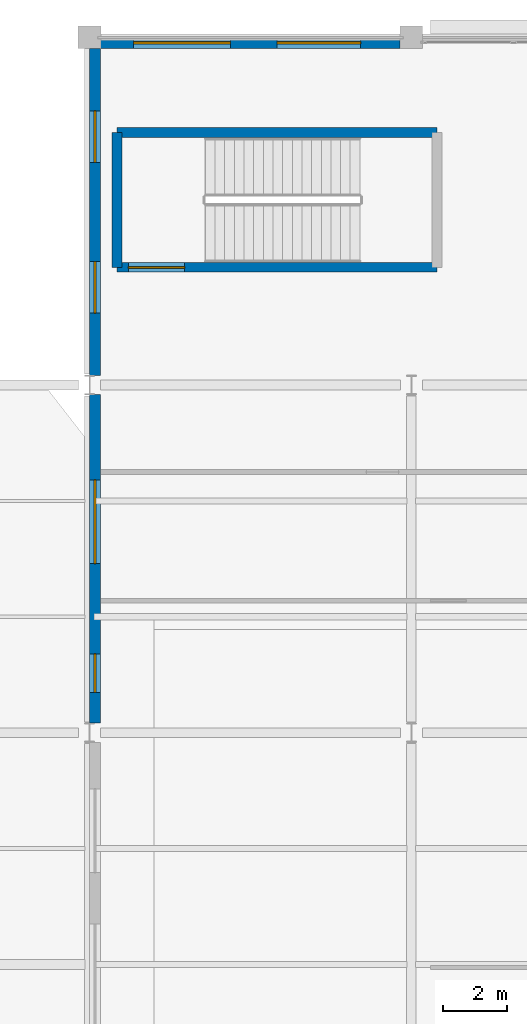
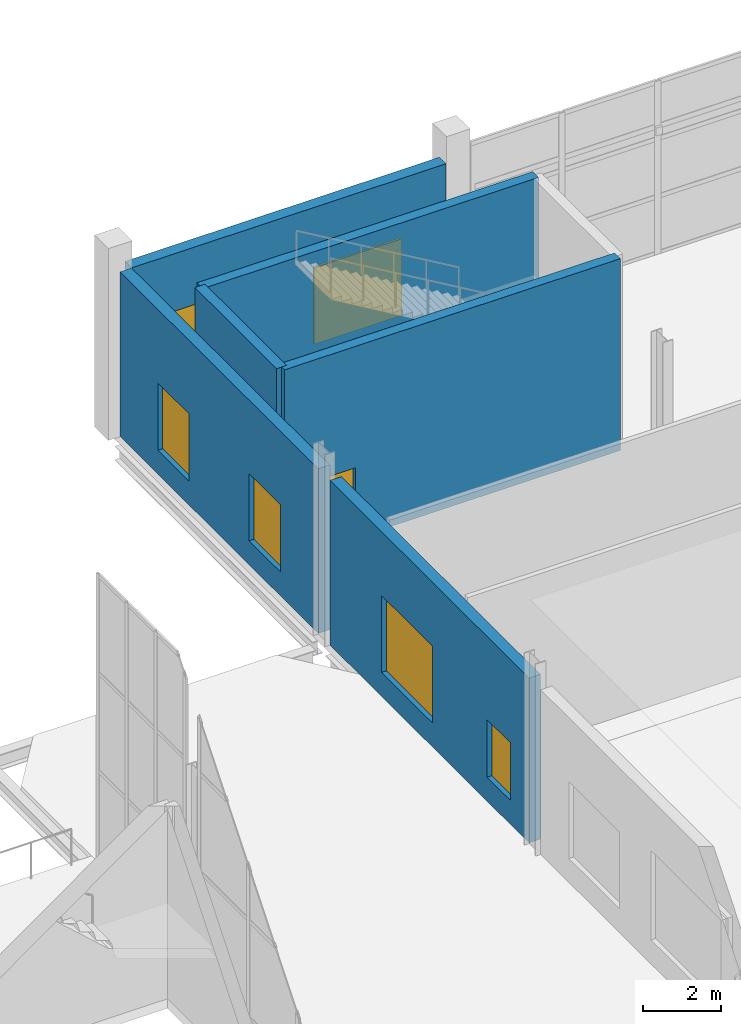
# One storey, part 171 of 191: 6 walls, 6 windows, 1 door, 7 openings.
"""IFC4 building model written with IfcOpenShell, lengths in metres."""

import ifcopenshell
import ifcopenshell.guid

model = None  # the IFC model being written
_history = None  # IfcOwnerHistory: only IFC2X3 demands one
_inside = {}  # id of a spatial element -> (the spatial element, [elements in it])
_under = {}  # id of a project, library or spatial element -> (it, [spatial elements below it])
_declared = {}  # id of a project -> (the project, [libraries it declares])
_typed = {}  # id of a type object -> (the type object, [elements of that type])
_made_of = {}  # id of a material, layer set ... -> (it, [elements and type objects made of it])


def new_model(schema):
    """Start an empty IFC model of exactly this schema.

    Asked for "IFC4X3", IfcOpenShell would pick the latest addendum, in which some entities
    have other attributes; the version numbers below select the first issue.
    IFC2X3 requires an IfcOwnerHistory on every rooted entity: one is made here for all.
    """
    global model, _history
    if schema == "IFC4X3":
        model = ifcopenshell.file(schema_version=(4, 3, 0, 0))
    else:
        model = ifcopenshell.file(schema=schema)
    _inside.clear()
    _under.clear()
    _declared.clear()
    _typed.clear()
    _made_of.clear()
    _history = None
    if model.schema == "IFC2X3":
        org = make("IfcOrganization", Name="unknown")
        user = make(
            "IfcPersonAndOrganization",
            ThePerson=make("IfcPerson", FamilyName="unknown"),
            TheOrganization=org,
        )
        app = make(
            "IfcApplication",
            ApplicationDeveloper=org,
            Version="unknown",
            ApplicationFullName="unknown",
            ApplicationIdentifier="unknown",
        )
        _history = make(
            "IfcOwnerHistory",
            OwningUser=user,
            OwningApplication=app,
            ChangeAction="ADDED",
            CreationDate=0,
        )
    return model


def make(cls, **values):
    """One entity of the class cls with the attributes given. An attribute that is None is left unset."""
    return model.create_entity(
        cls, **{name: value for name, value in values.items() if value is not None}
    )


def rooted(cls, **values):
    """An entity with a GlobalId (a new one), such as an element, a storey or a relation."""
    return make(cls, GlobalId=ifcopenshell.guid.new(), OwnerHistory=_history, **values)


def si_unit(unit_type, name, prefix=None):
    """IfcSIUnit, for example si_unit("LENGTHUNIT", "METRE", prefix="MILLI")."""
    return make("IfcSIUnit", UnitType=unit_type, Prefix=prefix, Name=name)


def assignment(units):
    """IfcUnitAssignment: the units of a project."""
    return None if units is None else make("IfcUnitAssignment", Units=units)


def point(xyz):
    """IfcCartesianPoint."""
    return None if xyz is None else make("IfcCartesianPoint", Coordinates=xyz)


def direction(xyz):
    """IfcDirection."""
    return None if xyz is None else make("IfcDirection", DirectionRatios=xyz)


def frame(location, z_axis=None, x_axis=None):
    """IfcAxis2Placement3D, a coordinate frame: its origin and axes. An axis left out is left unset."""
    return make(
        "IfcAxis2Placement3D",
        Location=point(location),
        Axis=direction(z_axis),
        RefDirection=direction(x_axis),
    )


def frame_2d(location, x_axis=None):
    """IfcAxis2Placement2D, a coordinate frame in the plane: its origin and x axis."""
    return make(
        "IfcAxis2Placement2D", Location=point(location), RefDirection=direction(x_axis)
    )


def origin():
    """The frame at (0, 0, 0) with its axes left unset."""
    return frame((0.0, 0.0, 0.0))


def place(relative_to, where):
    """IfcLocalPlacement: puts the frame where relative to a parent placement (None: the world)."""
    return make(
        "IfcLocalPlacement", PlacementRelTo=relative_to, RelativePlacement=where
    )


def context(
    kind, dimensions, precision=None, world=None, true_north=None, identifier=None
):
    """IfcGeometricRepresentationContext, for example the 3D "Model" context."""
    return make(
        "IfcGeometricRepresentationContext",
        ContextIdentifier=identifier,
        ContextType=kind,
        CoordinateSpaceDimension=dimensions,
        Precision=precision,
        WorldCoordinateSystem=world,
        TrueNorth=true_north,
    )


def subcontext(parent, identifier, kind, view, scale=None):
    """IfcGeometricRepresentationSubContext, for example "Body" below "Model"."""
    return make(
        "IfcGeometricRepresentationSubContext",
        ContextIdentifier=identifier,
        ContextType=kind,
        ParentContext=parent,
        TargetScale=scale,
        TargetView=view,
    )


def project(units=None, contexts=None):
    """IfcProject with its units and contexts."""
    return rooted(
        "IfcProject",
        Name="project",
        RepresentationContexts=contexts,
        UnitsInContext=assignment(units),
    )


def spatial(cls, under=None, at=None, **own):
    """A site, building, storey or space (cls), placed at a placement, below another one or the project."""
    s = rooted(cls, ObjectPlacement=at, **own)
    if under is not None:
        _under.setdefault(under.id(), (under, []))[1].append(s)
    return s


def profile(cls, at=None, kind="AREA", **sizes):
    """A parametric profile (cls). Its sizes go by their IFC names, for example OverallWidth=200.0."""
    return make(cls, ProfileType=kind, Position=at, **sizes)


def rectangle(**sizes):
    """IfcRectangleProfileDef."""
    return profile("IfcRectangleProfileDef", **sizes)


def extrude(swept, where, along, depth):
    """IfcExtrudedAreaSolid: the profile swept, set in the frame where, extruded along a direction by depth."""
    return make(
        "IfcExtrudedAreaSolid",
        SweptArea=swept,
        Position=where,
        ExtrudedDirection=direction(along),
        Depth=depth,
    )


def shape(context_of_items, identifier, shape_type, items):
    """IfcShapeRepresentation: the items that make up one representation, for example the "Body"."""
    return make(
        "IfcShapeRepresentation",
        ContextOfItems=context_of_items,
        RepresentationIdentifier=identifier,
        RepresentationType=shape_type,
        Items=items,
    )


def material(Name=None, Category=None):
    """IfcMaterial."""
    return make("IfcMaterial", Name=Name, Category=Category)


def layer(
    of_material, thickness, ventilated=None, Name=None, Category=None, Priority=None
):
    """IfcMaterialLayer: one layer of a wall or slab, of a material (None: an air gap)."""
    return make(
        "IfcMaterialLayer",
        Material=of_material,
        LayerThickness=thickness,
        IsVentilated=ventilated,
        Name=Name,
        Category=Category,
        Priority=Priority,
    )


def layer_set(layers, Name=None):
    """IfcMaterialLayerSet."""
    return make("IfcMaterialLayerSet", MaterialLayers=layers, LayerSetName=Name)


def made_of(thing, what):
    """Note that an element or type object is made of a material, layer set ...; save() writes the relation."""
    if what is not None:
        _made_of.setdefault(what.id(), (what, []))[1].append(thing)
    return thing


def type_object(cls, material=None, **own):
    """A type object (cls), such as IfcWallType, which elements share."""
    return made_of(rooted(cls, **own), material)


def element(
    cls,
    number,
    at=None,
    inside=None,
    cuts=None,
    type_object=None,
    material=None,
    context=None,
    identifier="Body",
    shape_type=None,
    held_by="IfcProductDefinitionShape",
    body=None,
    shapes=None,
    **own,
):
    """One element of the class cls, such as IfcWall. Its Tag is "e" and its number.

    at: its placement. inside: the storey or other place that contains it. cuts: it is an
    opening in that element (IfcRelVoidsElement). A single representation is given by context,
    identifier, shape_type and body (its items); several are given by shapes. held_by: the class
    of the entity that holds the representations. save() writes the other relations.
    """
    e = rooted(cls, Tag="e%d" % number, ObjectPlacement=at, **own)
    if body is not None:
        shapes = [shape(context, identifier, shape_type, body)]
    if shapes is not None:
        e.Representation = make(held_by, Representations=shapes)
    if inside is not None:
        _inside.setdefault(inside.id(), (inside, []))[1].append(e)
    if cuts is not None:
        rooted(
            "IfcRelVoidsElement", RelatingBuildingElement=cuts, RelatedOpeningElement=e
        )
    if type_object is not None:
        _typed.setdefault(type_object.id(), (type_object, []))[1].append(e)
    return made_of(e, material)


def fill(opening, filler):
    """IfcRelFillsElement: the door or window that sits in an opening."""
    return rooted(
        "IfcRelFillsElement",
        RelatingOpeningElement=opening,
        RelatedBuildingElement=filler,
    )


def aggregate(whole, parts):
    """IfcRelAggregates: a whole, such as a stair, and the parts it consists of."""
    return rooted("IfcRelAggregates", RelatingObject=whole, RelatedObjects=parts)


def save(model, path):
    """Write the relations noted so far, then the file.

    IfcRelAggregates (storeys below a building ...), IfcRelContainedInSpatialStructure (elements
    in a storey), IfcRelDefinesByType, IfcRelAssociatesMaterial and IfcRelDeclares: one each for
    every whole, place, type object, material and project.
    """
    for whole, parts in _under.values():
        aggregate(whole, parts)
    for where, things in _inside.values():
        rooted(
            "IfcRelContainedInSpatialStructure",
            RelatedElements=things,
            RelatingStructure=where,
        )
    for kind, things in _typed.values():
        rooted("IfcRelDefinesByType", RelatedObjects=things, RelatingType=kind)
    for what, things in _made_of.values():
        rooted("IfcRelAssociatesMaterial", RelatedObjects=things, RelatingMaterial=what)
    for by, libraries in _declared.values():
        rooted("IfcRelDeclares", RelatingContext=by, RelatedDefinitions=libraries)
    model.write(path)


model = new_model("IFC4")

# Units and contexts
model_context = context("Model", 3, precision=1e-05, world=origin(), true_north=direction((0.0, 1.0)))
body_context = subcontext(model_context, "Body", "Model", "MODEL_VIEW")
ifc_project = project(units=[si_unit("LENGTHUNIT", "METRE"), si_unit("AREAUNIT", "SQUARE_METRE"), si_unit("VOLUMEUNIT", "CUBIC_METRE"), si_unit("PLANEANGLEUNIT", "RADIAN"), si_unit("MASSUNIT", "GRAM", prefix="KILO")], contexts=[model_context])

# Site, building, storey
site_placement = place(None, origin())
site = spatial("IfcSite", under=ifc_project, at=site_placement, CompositionType="ELEMENT")
building_placement = place(site_placement, origin())
building = spatial("IfcBuilding", under=site, at=building_placement, Name="Tamarisk Ironworks Central Station", CompositionType="ELEMENT")
storey_placement = place(building_placement, frame((0.0, 0.0, 6.60009765625)))
storey = spatial("IfcBuildingStorey", under=building, at=storey_placement, Name="L01", CompositionType="ELEMENT", Elevation=6.60009765625)

# Wall, openings, windows
ifc_material_1 = material(Name="Clay facing brickwork and mortar", Category="masonry")
ifc_layer_1 = layer(ifc_material_1, 0.340087890625)
ifc_layer_set_1 = layer_set([ifc_layer_1], Name="Clay facing brickwork and mortar")
wall_type_1 = type_object("IfcWallType", Name="WL-BR340", PredefinedType="STANDARD", material=ifc_layer_set_1)
wall_1_placement = place(storey_placement, frame((118.347900390625, 122.22998046875, 0.0), z_axis=(0.0, 0.0, 1.0), x_axis=(1.0, 0.0, 0.0)))
wall_1 = element("IfcWall", 1, at=wall_1_placement, inside=storey, type_object=wall_type_1, Name="L01 brick facade wall 0054", PredefinedType="STANDARD", context=body_context, shape_type="SweptSolid", body=[
    extrude(rectangle(XDim=9.30419921875, YDim=0.340087890625, at=frame_2d((4.652099609375, 0.0))), origin(), (0.0, 0.0, 1.0), 5.14990234375),
])
opening_1_placement = place(wall_1_placement, frame((1.02587890625, 0.0, 0.75)))
opening_1 = element("IfcOpeningElement", 2, at=opening_1_placement, cuts=wall_1, Name="Opening W03", PredefinedType="OPENING", context=body_context, shape_type="SweptSolid", body=[
    extrude(rectangle(XDim=3.0, YDim=2.60009765625, at=frame_2d((1.5, 1.300048828125))), frame((0.0, 0.18212890625, 0.0), z_axis=(0.0, -1.0, 0.0), x_axis=(1.0, 0.0, 0.0)), (0.0, 0.0, 1.0), 0.364013671875),
])
opening_2_placement = place(wall_1_placement, frame((5.47802734375, 0.0, 0.75)))
opening_2 = element("IfcOpeningElement", 3, at=opening_2_placement, cuts=wall_1, Name="Opening W05", PredefinedType="OPENING", context=body_context, shape_type="SweptSolid", body=[
    extrude(rectangle(XDim=2.60009765625, YDim=2.39990234375, at=frame_2d((1.300048828125, 1.199951171875))), frame((0.0, 0.18212890625, 0.0), z_axis=(0.0, -1.0, 0.0), x_axis=(1.0, 0.0, 0.0)), (0.0, 0.0, 1.0), 0.364013671875),
])
ifc_material_2 = material(Name="Laminated solar-control low-E glass", Category="glass")
window_type_1 = type_object("IfcWindowType", Name="WN-03", PartitioningType="SINGLE_PANEL", PredefinedType="WINDOW", material=ifc_material_2)
window_1_placement = place(opening_1_placement, origin())
window_1 = element("IfcWindow", 4, at=window_1_placement, inside=storey, type_object=window_type_1, Name="L01 exterior window 0076", OverallHeight=2.60009765625, OverallWidth=3.0, PartitioningType="DOUBLE_PANEL_VERTICAL", PredefinedType="WINDOW", context=body_context, shape_type="SweptSolid", body=[
    extrude(rectangle(XDim=3.0, YDim=2.60009765625, at=frame_2d((1.5, 1.300048828125))), frame((0.0, 0.030029296875, 0.0), z_axis=(0.0, -1.0, 0.0), x_axis=(1.0, 0.0, 0.0)), (0.0, 0.0, 1.0), 0.06005859375),
])
fill(opening_1, window_1)
window_type_2 = type_object("IfcWindowType", Name="WN-05", PartitioningType="SINGLE_PANEL", PredefinedType="WINDOW", material=ifc_material_2)
window_2_placement = place(opening_2_placement, origin())
window_2 = element("IfcWindow", 5, at=window_2_placement, inside=storey, type_object=window_type_2, Name="L01 exterior window 0077", OverallHeight=2.39990234375, OverallWidth=2.60009765625, PartitioningType="DOUBLE_PANEL_VERTICAL", PredefinedType="WINDOW", context=body_context, shape_type="SweptSolid", body=[
    extrude(rectangle(XDim=2.60009765625, YDim=2.39990234375, at=frame_2d((1.300048828125, 1.199951171875))), frame((0.0, 0.030029296875, 0.0), z_axis=(0.0, -1.0, 0.0), x_axis=(1.0, 0.0, 0.0)), (0.0, 0.0, 1.0), 0.06005859375),
])
fill(opening_2, window_2)

wall_2_placement = place(storey_placement, frame((118.169921875, 101.097900390625, 0.0), z_axis=(0.0, 0.0, 1.0), x_axis=(0.0, 1.0, 0.0)))
wall_2 = element("IfcWall", 6, at=wall_2_placement, inside=storey, type_object=wall_type_1, Name="L01 brick facade wall 0062", PredefinedType="STANDARD", context=body_context, shape_type="SweptSolid", body=[
    extrude(rectangle(XDim=10.2041015625, YDim=0.340087890625, at=frame_2d((5.10205078125, 0.0))), origin(), (0.0, 0.0, 1.0), 5.14990234375),
])
opening_3_placement = place(wall_2_placement, frame((0.950927734375, 0.0, 0.75)))
opening_3 = element("IfcOpeningElement", 7, at=opening_3_placement, cuts=wall_2, Name="Opening W13", PredefinedType="OPENING", context=body_context, shape_type="SweptSolid", body=[
    extrude(rectangle(XDim=1.199951171875, YDim=1.800048828125, at=frame_2d((0.60009765625, 0.89990234375))), frame((0.0, 0.18212890625, 0.0), z_axis=(0.0, -1.0, 0.0), x_axis=(1.0, 0.0, 0.0)), (0.0, 0.0, 1.0), 0.364013671875),
])
opening_4_placement = place(wall_2_placement, frame((4.952880859375, 0.0, 0.75)))
opening_4 = element("IfcOpeningElement", 8, at=opening_4_placement, cuts=wall_2, Name="Opening W05", PredefinedType="OPENING", context=body_context, shape_type="SweptSolid", body=[
    extrude(rectangle(XDim=2.60009765625, YDim=2.39990234375, at=frame_2d((1.300048828125, 1.199951171875))), frame((0.0, 0.18212890625, 0.0), z_axis=(0.0, -1.0, 0.0), x_axis=(1.0, 0.0, 0.0)), (0.0, 0.0, 1.0), 0.364013671875),
])
window_3_placement = place(opening_4_placement, origin())
window_3 = element("IfcWindow", 9, at=window_3_placement, inside=storey, type_object=window_type_2, Name="L01 exterior window 0098", OverallHeight=2.39990234375, OverallWidth=2.60009765625, PartitioningType="DOUBLE_PANEL_VERTICAL", PredefinedType="WINDOW", context=body_context, shape_type="SweptSolid", body=[
    extrude(rectangle(XDim=2.60009765625, YDim=2.39990234375, at=frame_2d((1.300048828125, 1.199951171875))), frame((0.0, 0.030029296875, 0.0), z_axis=(0.0, -1.0, 0.0), x_axis=(1.0, 0.0, 0.0)), (0.0, 0.0, 1.0), 0.06005859375),
])
fill(opening_4, window_3)
window_type_3 = type_object("IfcWindowType", Name="WN-13", PartitioningType="SINGLE_PANEL", PredefinedType="WINDOW", material=ifc_material_2)
window_4_placement = place(opening_3_placement, origin())
window_4 = element("IfcWindow", 10, at=window_4_placement, inside=storey, type_object=window_type_3, Name="L01 exterior window 0097", OverallHeight=1.800048828125, OverallWidth=1.199951171875, PartitioningType="DOUBLE_PANEL_VERTICAL", PredefinedType="WINDOW", context=body_context, shape_type="SweptSolid", body=[
    extrude(rectangle(XDim=1.199951171875, YDim=1.800048828125, at=frame_2d((0.60009765625, 0.89990234375))), frame((0.0, 0.030029296875, 0.0), z_axis=(0.0, -1.0, 0.0), x_axis=(1.0, 0.0, 0.0)), (0.0, 0.0, 1.0), 0.06005859375),
])
fill(opening_3, window_4)

wall_3_placement = place(storey_placement, frame((118.169921875, 111.89794921875, 0.0), z_axis=(0.0, 0.0, 1.0), x_axis=(0.0, 1.0, 0.0)))
wall_3 = element("IfcWall", 11, at=wall_3_placement, inside=storey, type_object=wall_type_1, Name="L01 brick facade wall 0063", PredefinedType="STANDARD", context=body_context, shape_type="SweptSolid", body=[
    extrude(rectangle(XDim=10.154052734375, YDim=0.340087890625, at=frame_2d((5.0771484375, 0.0))), origin(), (0.0, 0.0, 1.0), 5.14990234375),
])
opening_5_placement = place(wall_3_placement, frame((1.93896484375, 0.0, 0.75)))
opening_5 = element("IfcOpeningElement", 12, at=opening_5_placement, cuts=wall_3, Name="Opening W10", PredefinedType="OPENING", context=body_context, shape_type="SweptSolid", body=[
    extrude(rectangle(XDim=1.60009765625, YDim=2.10009765625, at=frame_2d((0.800048828125, 1.050048828125))), frame((0.0, 0.18212890625, 0.0), z_axis=(0.0, -1.0, 0.0), x_axis=(1.0, 0.0, 0.0)), (0.0, 0.0, 1.0), 0.364013671875),
])
opening_6_placement = place(wall_3_placement, frame((6.615966796875, 0.0, 0.75)))
opening_6 = element("IfcOpeningElement", 13, at=opening_6_placement, cuts=wall_3, Name="Opening W10", PredefinedType="OPENING", context=body_context, shape_type="SweptSolid", body=[
    extrude(rectangle(XDim=1.60009765625, YDim=2.10009765625, at=frame_2d((0.800048828125, 1.050048828125))), frame((0.0, 0.18212890625, 0.0), z_axis=(0.0, -1.0, 0.0), x_axis=(1.0, 0.0, 0.0)), (0.0, 0.0, 1.0), 0.364013671875),
])
window_type_4 = type_object("IfcWindowType", Name="WN-10", PartitioningType="SINGLE_PANEL", PredefinedType="WINDOW", material=ifc_material_2)
window_5_placement = place(opening_5_placement, origin())
window_5 = element("IfcWindow", 14, at=window_5_placement, inside=storey, type_object=window_type_4, Name="L01 exterior window 0099", OverallHeight=2.10009765625, OverallWidth=1.60009765625, PartitioningType="DOUBLE_PANEL_VERTICAL", PredefinedType="WINDOW", context=body_context, shape_type="SweptSolid", body=[
    extrude(rectangle(XDim=1.60009765625, YDim=2.10009765625, at=frame_2d((0.800048828125, 1.050048828125))), frame((0.0, 0.030029296875, 0.0), z_axis=(0.0, -1.0, 0.0), x_axis=(1.0, 0.0, 0.0)), (0.0, 0.0, 1.0), 0.06005859375),
])
fill(opening_5, window_5)
window_6_placement = place(opening_6_placement, origin())
window_6 = element("IfcWindow", 15, at=window_6_placement, inside=storey, type_object=window_type_4, Name="L01 exterior window 0100", OverallHeight=2.10009765625, OverallWidth=1.60009765625, PartitioningType="DOUBLE_PANEL_VERTICAL", PredefinedType="WINDOW", context=body_context, shape_type="SweptSolid", body=[
    extrude(rectangle(XDim=1.60009765625, YDim=2.10009765625, at=frame_2d((0.800048828125, 1.050048828125))), frame((0.0, 0.030029296875, 0.0), z_axis=(0.0, -1.0, 0.0), x_axis=(1.0, 0.0, 0.0)), (0.0, 0.0, 1.0), 0.06005859375),
])
fill(opening_6, window_6)

# Wall, opening, door
ifc_material_3 = material(Name="Concrete C50/60", Category="concrete")
ifc_layer_2 = layer(ifc_material_3, 0.300048828125)
ifc_layer_set_2 = layer_set([ifc_layer_2], Name="Concrete C50/60")
wall_type_2 = type_object("IfcWallType", Name="WL-CW300", PredefinedType="SOLIDWALL", material=ifc_layer_set_2)
wall_4_placement = place(storey_placement, frame((118.85498046875, 115.2548828125, 0.0), z_axis=(0.0, 0.0, 1.0), x_axis=(1.0, 0.0, 0.0)))
wall_4 = element("IfcWall", 16, at=wall_4_placement, inside=storey, type_object=wall_type_2, Name="ST-C5 core wall L (L01)", PredefinedType="SOLIDWALL", context=body_context, shape_type="SweptSolid", body=[
    extrude(rectangle(XDim=9.93994140625, YDim=0.300048828125, at=frame_2d((4.969970703125, 0.0))), origin(), (0.0, 0.0, 1.0), 6.0),
])
opening_7_placement = place(wall_4_placement, frame((0.35009765625, 0.0, 0.0048828125)))
opening_7 = element("IfcOpeningElement", 17, at=opening_7_placement, cuts=wall_4, Name="Opening FD03", PredefinedType="OPENING", context=body_context, shape_type="SweptSolid", body=[
    extrude(rectangle(XDim=1.75, YDim=2.199951171875, at=frame_2d((0.875, 1.10009765625))), frame((0.0, 0.162109375, 0.0), z_axis=(0.0, -1.0, 0.0), x_axis=(1.0, 0.0, 0.0)), (0.0, 0.0, 1.0), 0.323974609375),
])
ifc_material_4 = material(Name="Galvanised hollow-metal door steel", Category="steel")
door_type = type_object("IfcDoorType", Name="DR-FD03", OperationType="NOTDEFINED", PredefinedType="DOOR", material=ifc_material_4)
door_placement = place(opening_7_placement, origin())
door = element("IfcDoor", 18, at=door_placement, inside=storey, type_object=door_type, Name="ST-C5 fire stair door (L01)", OperationType="SINGLE_SWING_RIGHT", OverallHeight=2.199951171875, OverallWidth=1.75, PredefinedType="DOOR", context=body_context, shape_type="SweptSolid", body=[
    extrude(rectangle(XDim=1.75, YDim=2.199951171875, at=frame_2d((0.875, 1.10009765625))), frame((0.0, 0.02490234375, 0.0), z_axis=(0.0, -1.0, 0.0), x_axis=(1.0, 0.0, 0.0)), (0.0, 0.0, 1.0), 0.050048828125),
])
fill(opening_7, door)

# Walls
wall_5_placement = place(storey_placement, frame((118.85498046875, 119.445068359375, 0.0), z_axis=(0.0, 0.0, 1.0), x_axis=(1.0, 0.0, 0.0)))
element("IfcWall", 19, at=wall_5_placement, inside=storey, type_object=wall_type_2, Name="ST-C5 core wall R (L01)", PredefinedType="SOLIDWALL", context=body_context, shape_type="SweptSolid", body=[
    extrude(rectangle(XDim=9.93994140625, YDim=0.300048828125, at=frame_2d((4.969970703125, 0.0))), origin(), (0.0, 0.0, 1.0), 6.0),
])
wall_6_placement = place(storey_placement, frame((118.85498046875, 115.2548828125, 0.0), z_axis=(0.0, 0.0, 1.0), x_axis=(0.0, 1.0, 0.0)))
element("IfcWall", 20, at=wall_6_placement, inside=storey, type_object=wall_type_2, Name="ST-C5 core wall N (L01)", PredefinedType="SOLIDWALL", context=body_context, shape_type="SweptSolid", body=[
    extrude(rectangle(XDim=4.190185546875, YDim=0.300048828125, at=frame_2d((2.09521484375, 0.0))), origin(), (0.0, 0.0, 1.0), 6.0),
])

save(model, "model.ifc")
